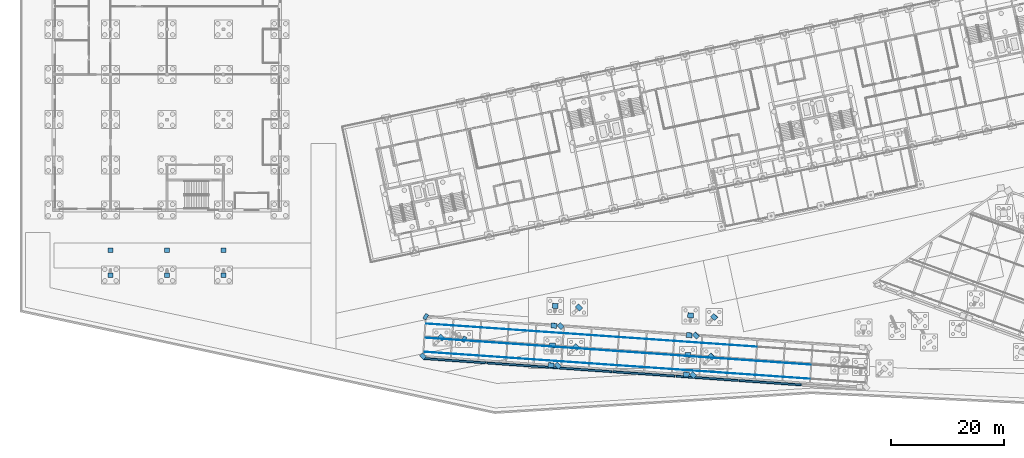
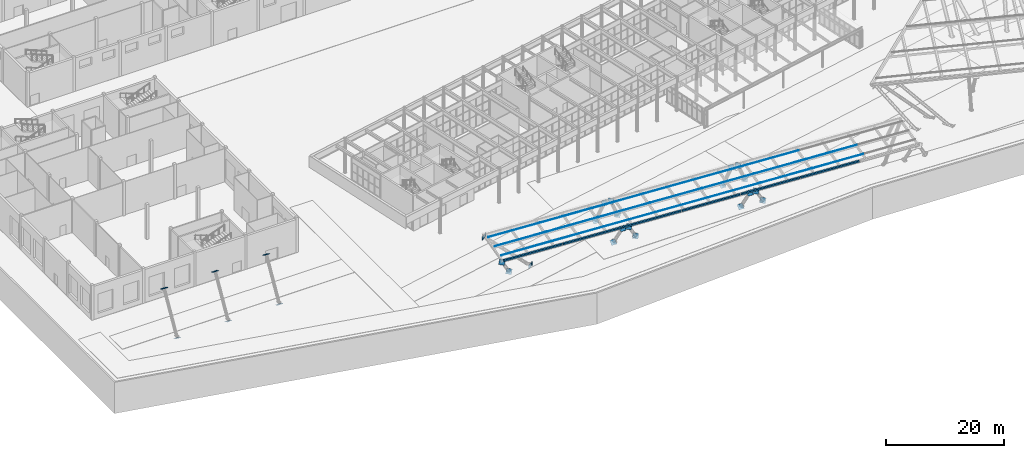
# One storey, part 195 of 239: 52 discrete accessories.
"""IFC4 building model written with IfcOpenShell, lengths in metres."""

from ifc_helpers import new_model, si_unit, direction, frame, origin, origin_2d, place, context, subcontext, project, spatial, polyline, rectangle, outline, extrude, material, layer, layer_set, type_object, element, save


model = new_model("IFC4")

# Units and contexts
model_context = context("Model", 3, precision=1e-05, world=origin(), true_north=direction((0.0, 1.0)))
body_context = subcontext(model_context, "Body", "Model", "MODEL_VIEW")
ifc_project = project(units=[si_unit("LENGTHUNIT", "METRE"), si_unit("AREAUNIT", "SQUARE_METRE"), si_unit("VOLUMEUNIT", "CUBIC_METRE"), si_unit("PLANEANGLEUNIT", "RADIAN"), si_unit("MASSUNIT", "GRAM", prefix="KILO")], contexts=[model_context])

# Site, building, storey
site_placement = place(None, origin())
site = spatial("IfcSite", under=ifc_project, at=site_placement, CompositionType="ELEMENT")
building_placement = place(site_placement, origin())
building = spatial("IfcBuilding", under=site, at=building_placement, Name="Okhra Congress Centre", CompositionType="ELEMENT")
storey_placement = place(building_placement, origin())
storey = spatial("IfcBuildingStorey", under=building, at=storey_placement, Name="L00", CompositionType="ELEMENT", Elevation=0.0)

# Discrete accessories
ifc_material_1 = material(Name="Steel S355J2", Category="steel")
ifc_layer = layer(ifc_material_1, 0.02001953125)
ifc_layer_set = layer_set([ifc_layer], Name="Brace end connection plate 20 mm S355")
discrete_accessory_type_1 = type_object("IfcDiscreteAccessoryType", Name="Brace end connection plate 20 mm S355", PredefinedType="BRACKET", material=ifc_layer_set)
for number, where, z_axis, x_axis, name in (
    (1, (74.551025390625, 13.44091796875, -0.39990234375), (0.47423643072, 0.47423643072, -0.741754417281), (-0.707106781187, 0.707106781187, 0.0), "Brace end connection plate"),
    (2, (71.314208984375, 10.15869140625, 4.63330078125), (-0.47423643072, -0.47423643072, 0.741754417281), (0.707106781187, -0.707106781187, 0.0), "Brace end connection plate"),
):
    element("IfcDiscreteAccessory", number, at=place(storey_placement, frame(where, z_axis=z_axis, x_axis=x_axis)), inside=storey, type_object=discrete_accessory_type_1, Name=name, PredefinedType="BRACKET", context=body_context, shape_type="SweptSolid", body=[
        extrude(rectangle(XDim=1.01611328125, YDim=1.01611328125, at=origin_2d()), origin(), (0.0, 0.0, 1.0), 0.02001953125),
    ])
discrete_accessory_1_placement = place(storey_placement, frame((78.541259765625, 13.161865234375, -0.39990234375), z_axis=(0.689303220297, -0.399070285435, -0.604651947629), x_axis=(0.501036270542, 0.865426285481, 0.0)))
element("IfcDiscreteAccessory", 3, at=discrete_accessory_1_placement, inside=storey, type_object=discrete_accessory_type_1, Name="Brace end connection plate", PredefinedType="BRACKET", context=body_context, shape_type="SweptSolid", body=[
    extrude(rectangle(XDim=1.01611328125, YDim=1.01611328125, at=origin_2d()), origin(), (0.0, 0.0, 1.0), 0.020263671875),
])
discrete_accessory_2_placement = place(storey_placement, frame((71.802490234375, 17.1416015625, 5.492919921875), z_axis=(-0.684506559895, 0.415593268508, 0.598943239908), x_axis=(-0.518978134242, -0.854787515222, 0.0)))
element("IfcDiscreteAccessory", 4, at=discrete_accessory_2_placement, inside=storey, type_object=discrete_accessory_type_1, Name="Brace end connection plate", PredefinedType="BRACKET", context=body_context, shape_type="SweptSolid", body=[
    extrude(rectangle(XDim=1.01611328125, YDim=1.01611328125, at=origin_2d()), origin(), (0.0, 0.0, 1.0), 0.02001953125),
])
discrete_accessory_3_placement = place(storey_placement, frame((94.203125, 12.066650390625, -0.39990234375), z_axis=(0.036268510479, 0.568206664175, -0.822086237529), x_axis=(-0.997969082864, 0.063700154225, 0.0)))
element("IfcDiscreteAccessory", 5, at=discrete_accessory_3_placement, inside=storey, type_object=discrete_accessory_type_1, Name="Brace end connection plate", PredefinedType="BRACKET", context=body_context, shape_type="SweptSolid", body=[
    extrude(rectangle(XDim=1.01611328125, YDim=1.01611328125, at=origin_2d()), origin(), (0.0, 0.0, 1.0), 0.020263671875),
])
discrete_accessory_4_placement = place(storey_placement, frame((93.958984375, 8.5751953125, 4.63330078125), z_axis=(-0.036888344018, -0.565621274945, 0.823839683072), x_axis=(0.997880105966, -0.065079137346, 0.0)))
element("IfcDiscreteAccessory", 6, at=discrete_accessory_4_placement, inside=storey, type_object=discrete_accessory_type_1, Name="Brace end connection plate", PredefinedType="BRACKET", context=body_context, shape_type="SweptSolid", body=[
    extrude(rectangle(XDim=1.01611328125, YDim=1.01611328125, at=origin_2d()), origin(), (0.0, 0.0, 1.0), 0.019775390625),
])
discrete_accessory_5_placement = place(storey_placement, frame((98.392822265625, 11.773681640625, -0.39990234375), z_axis=(0.47149063623, 0.483580139723, -0.737459713078), x_axis=(-0.71600013962, 0.69810013613, 0.0)))
element("IfcDiscreteAccessory", 7, at=discrete_accessory_5_placement, inside=storey, type_object=discrete_accessory_type_1, Name="Brace end connection plate", PredefinedType="BRACKET", context=body_context, shape_type="SweptSolid", body=[
    extrude(rectangle(XDim=1.01611328125, YDim=1.01611328125, at=origin_2d()), origin(), (0.0, 0.0, 1.0), 0.020263671875),
])
discrete_accessory_6_placement = place(storey_placement, frame((95.156005859375, 8.491455078125, 4.63330078125), z_axis=(-0.47423643072, -0.47423643072, 0.741754417281), x_axis=(0.707106781187, -0.707106781187, 0.0)))
element("IfcDiscreteAccessory", 8, at=discrete_accessory_6_placement, inside=storey, type_object=discrete_accessory_type_1, Name="Brace end connection plate", PredefinedType="BRACKET", context=body_context, shape_type="SweptSolid", body=[
    extrude(rectangle(XDim=1.01611328125, YDim=1.01611328125, at=origin_2d()), origin(), (0.0, 0.0, 1.0), 0.02001953125),
])
discrete_accessory_7_placement = place(storey_placement, frame((94.69140625, 19.049560546875, -0.39990234375), z_axis=(0.03634295113, 0.508801315824, -0.860116510084), x_axis=(-0.997458699831, 0.071247049988, 0.0)))
element("IfcDiscreteAccessory", 9, at=discrete_accessory_7_placement, inside=storey, type_object=discrete_accessory_type_1, Name="Brace end connection plate", PredefinedType="BRACKET", context=body_context, shape_type="SweptSolid", body=[
    extrude(rectangle(XDim=1.01611328125, YDim=1.01611328125, at=origin_2d()), origin(), (0.0, 0.0, 1.0), 0.020263671875),
])
discrete_accessory_8_placement = place(storey_placement, frame((94.447265625, 15.55810546875, 5.492919921875), z_axis=(-0.036955454463, -0.505057877661, 0.86229393747), x_axis=(0.997333723592, -0.072975638312, 0.0)))
element("IfcDiscreteAccessory", 10, at=discrete_accessory_8_placement, inside=storey, type_object=discrete_accessory_type_1, Name="Brace end connection plate", PredefinedType="BRACKET", context=body_context, shape_type="SweptSolid", body=[
    extrude(rectangle(XDim=1.01611328125, YDim=1.01611328125, at=origin_2d()), origin(), (0.0, 0.0, 1.0), 0.019775390625),
])
discrete_accessory_9_placement = place(storey_placement, frame((98.881103515625, 18.756591796875, -0.39990234375), z_axis=(0.436019440979, 0.436019440979, -0.78725732399), x_axis=(-0.707106781187, 0.707106781187, 0.0)))
element("IfcDiscreteAccessory", 11, at=discrete_accessory_9_placement, inside=storey, type_object=discrete_accessory_type_1, Name="Brace end connection plate", PredefinedType="BRACKET", context=body_context, shape_type="SweptSolid", body=[
    extrude(rectangle(XDim=1.01611328125, YDim=1.01611328125, at=origin_2d()), origin(), (0.0, 0.0, 1.0), 0.020263671875),
])
discrete_accessory_10_placement = place(storey_placement, frame((95.644287109375, 15.474365234375, 5.492919921875), z_axis=(-0.432593554058, -0.432593554058, 0.791028213135), x_axis=(0.707106781187, -0.707106781187, 0.0)))
element("IfcDiscreteAccessory", 12, at=discrete_accessory_10_placement, inside=storey, type_object=discrete_accessory_type_1, Name="Brace end connection plate", PredefinedType="BRACKET", context=body_context, shape_type="SweptSolid", body=[
    extrude(rectangle(XDim=1.01611328125, YDim=1.01611328125, at=origin_2d()), origin(), (0.0, 0.0, 1.0), 0.019775390625),
])
discrete_accessory_11_placement = place(storey_placement, frame((118.144775390625, 10.392578125, -0.39990234375), z_axis=(0.036268510479, 0.568206664175, -0.822086237529), x_axis=(-0.997969082864, 0.063700154225, 0.0)))
element("IfcDiscreteAccessory", 13, at=discrete_accessory_11_placement, inside=storey, type_object=discrete_accessory_type_1, Name="Brace end connection plate", PredefinedType="BRACKET", context=body_context, shape_type="SweptSolid", body=[
    extrude(rectangle(XDim=1.01611328125, YDim=1.01611328125, at=origin_2d()), origin(), (0.0, 0.0, 1.0), 0.020263671875),
])
for number, where, z_axis, x_axis, name in (
    (14, (117.900634765625, 6.901123046875, 4.63330078125), (-0.048816801729, -0.573597420318, 0.817681428964), (0.996398007206, -0.084799830401, 0.0), "Brace end connection plate"),
    (15, (122.33447265625, 10.099609375, -0.39990234375), (0.47423643072, 0.47423643072, -0.741754417281), (-0.707106781187, 0.707106781187, 0.0), "Brace end connection plate"),
    (16, (119.09765625, 6.8173828125, 4.63330078125), (-0.47423643072, -0.47423643072, 0.741754417281), (0.707106781187, -0.707106781187, 0.0), "Brace end connection plate"),
):
    element("IfcDiscreteAccessory", number, at=place(storey_placement, frame(where, z_axis=z_axis, x_axis=x_axis)), inside=storey, type_object=discrete_accessory_type_1, Name=name, PredefinedType="BRACKET", context=body_context, shape_type="SweptSolid", body=[
        extrude(rectangle(XDim=1.01611328125, YDim=1.01611328125, at=origin_2d()), origin(), (0.0, 0.0, 1.0), 0.02001953125),
    ])
discrete_accessory_12_placement = place(storey_placement, frame((118.633056640625, 17.37548828125, -0.39990234375), z_axis=(0.03634295113, 0.508801315824, -0.860116510084), x_axis=(-0.997458699831, 0.071247049988, 0.0)))
element("IfcDiscreteAccessory", 17, at=discrete_accessory_12_placement, inside=storey, type_object=discrete_accessory_type_1, Name="Brace end connection plate", PredefinedType="BRACKET", context=body_context, shape_type="SweptSolid", body=[
    extrude(rectangle(XDim=1.01611328125, YDim=1.01611328125, at=origin_2d()), origin(), (0.0, 0.0, 1.0), 0.020263671875),
])
for number, where, z_axis, x_axis, name in (
    (18, (118.388916015625, 13.884033203125, 5.492919921875), (-0.036724905952, -0.514148683335, 0.856914472225), (0.997458699831, -0.071247049988, 0.0), "Brace end connection plate"),
    (19, (122.82275390625, 17.08251953125, -0.39990234375), (0.426132713871, 0.438307934267, -0.79138932576), (-0.716994918814, 0.697078393292, 0.0), "Brace end connection plate"),
    (20, (119.5859375, 13.80029296875, 5.492919921875), (-0.44020438924, -0.44020438924, 0.782585580871), (0.707106781187, -0.707106781187, 0.0), "Brace end connection plate"),
):
    element("IfcDiscreteAccessory", number, at=place(storey_placement, frame(where, z_axis=z_axis, x_axis=x_axis)), inside=storey, type_object=discrete_accessory_type_1, Name=name, PredefinedType="BRACKET", context=body_context, shape_type="SweptSolid", body=[
        extrude(rectangle(XDim=1.01611328125, YDim=1.01611328125, at=origin_2d()), origin(), (0.0, 0.0, 1.0), 0.02001953125),
    ])
for number, where, z_axis, x_axis, name in (
    (21, (16.0, 24.5, -0.39990234375), (0.0, -0.500074377092, -0.865982457891), (1.0, 0.0, 0.0), "Brace end connection plate"),
    (22, (16.0, 28.923095703125, 7.199951171875), (0.0, 0.500074377092, 0.865982457891), (-1.0, 0.0, 0.0), "Brace end connection plate"),
    (23, (26.0, 24.5, -0.39990234375), (0.0, -0.500074377092, -0.865982457891), (1.0, 0.0, 0.0), "Brace end connection plate"),
    (24, (26.0, 28.923095703125, 7.199951171875), (0.0, 0.500074377092, 0.865982457891), (-1.0, 0.0, 0.0), "Brace end connection plate"),
    (25, (36.0, 24.5, -0.39990234375), (0.0, -0.500074377092, -0.865982457891), (1.0, 0.0, 0.0), "Brace end connection plate"),
    (26, (36.0, 28.923095703125, 7.199951171875), (0.0, 0.500074377092, 0.865982457891), (-1.0, 0.0, 0.0), "Brace end connection plate"),
):
    element("IfcDiscreteAccessory", number, at=place(storey_placement, frame(where, z_axis=z_axis, x_axis=x_axis)), inside=storey, type_object=discrete_accessory_type_1, Name=name, PredefinedType="BRACKET", context=body_context, shape_type="SweptSolid", body=[
        extrude(rectangle(XDim=0.9140625, YDim=0.9140625, at=origin_2d()), origin(), (0.0, 0.0, 1.0), 0.02001953125),
    ])
ifc_material_2 = material(Name="Stainless steel box gutter with self-regulating heating cable", Category="steel")
discrete_accessory_type_2 = type_object("IfcDiscreteAccessoryType", Name="Canopy heated gutter 350x300", PredefinedType="USERDEFINED", material=ifc_material_2)
for number, where, z_axis, x_axis, name in (
    (27, (76.872314453125, 9.364013671875, 5.0498046875), (0.0, 0.0, 1.0), (0.99756405026, -0.069756473744, 0.0), "Covered promenade heated gutter"),
    (28, (88.045166015625, 8.582763671875, 5.0498046875), (0.0, 0.0, 1.0), (0.99756405026, -0.069756473744, 0.0), "Covered promenade heated gutter"),
    (29, (99.2177734375, 7.801513671875, 5.0498046875), (0.0, 0.0, 1.0), (0.99756405026, -0.069756473744, 0.0), "Covered promenade heated gutter"),
    (30, (110.390625, 7.020263671875, 5.0498046875), (0.0, 0.0, 1.0), (0.99756405026, -0.069756473744, 0.0), "Covered promenade heated gutter"),
    (31, (121.563232421875, 6.239013671875, 5.0498046875), (0.0, 0.0, 1.0), (0.99756405026, -0.069756473744, 0.0), "Covered promenade heated gutter"),
    (32, (132.736083984375, 5.457763671875, 5.0498046875), (0.0, 0.0, 1.0), (0.99756405026, -0.069756473744, 0.0), "Covered promenade heated gutter"),
):
    element("IfcDiscreteAccessory", number, at=place(storey_placement, frame(where, z_axis=z_axis, x_axis=x_axis)), inside=storey, type_object=discrete_accessory_type_2, Name=name, ObjectType="HEATED GUTTER", PredefinedType="USERDEFINED", context=body_context, shape_type="SweptSolid", body=[
        extrude(rectangle(XDim=11.0, YDim=0.35009765625, at=origin_2d()), origin(), (0.0, 0.0, 1.0), 0.300048828125),
    ])
ifc_material_3 = material(Name="Stainless steel snow retention rail", Category="steel")
discrete_accessory_type_3 = type_object("IfcDiscreteAccessoryType", Name="Canopy snow guard rail 40x100", PredefinedType="USERDEFINED", material=ifc_material_3)
discrete_accessory_13_placement = place(storey_placement, frame((71.566162109375, 10.892822265625, 5.5234375), z_axis=(-0.008837420723, -0.126397056635, 0.991940363162), x_axis=(0.997564605743, -0.069748529516, -1.11615e-07)))
element("IfcDiscreteAccessory", 33, at=discrete_accessory_13_placement, inside=storey, type_object=discrete_accessory_type_3, Name="Covered promenade snow guard rail", ObjectType="SNOW GUARD", PredefinedType="USERDEFINED", context=body_context, shape_type="SweptSolid", body=[
    extrude(outline(polyline([(0.0, 0.0), (9.587313742115244, -1.1102230246251565e-16), (9.587443628366318, 0.0404719454866024), (-0.00011365979525220541, 0.040455054276688815), (0.0, 0.0)])), origin(), (0.0, 0.0, -1.0), 0.10009765625),
])
discrete_accessory_14_placement = place(storey_placement, frame((81.329833984375, 10.210205078125, 5.5234375), z_axis=(-0.008890497927, -0.127156192417, 0.991842861434), x_axis=(0.997564605755, -0.069748529344, -1.12275e-07)))
element("IfcDiscreteAccessory", 34, at=discrete_accessory_14_placement, inside=storey, type_object=discrete_accessory_type_3, Name="Covered promenade snow guard rail", ObjectType="SNOW GUARD", PredefinedType="USERDEFINED", context=body_context, shape_type="SweptSolid", body=[
    extrude(outline(polyline([(0.0, 0.0), (9.587313742115244, 0.0), (9.587460656819378, 0.04023037334058518), (-9.663134219255282e-05, 0.040213483790975224), (0.0, 0.0)])), origin(), (0.0, 0.0, -1.0), 0.10009765625),
])
discrete_accessory_15_placement = place(storey_placement, frame((91.093505859375, 9.52734375, 5.5234375), z_axis=(-0.008865490689, -0.126775384188, 0.99189183132), x_axis=(0.99756459144, -0.069748734064, 1.489113e-06)))
element("IfcDiscreteAccessory", 35, at=discrete_accessory_15_placement, inside=storey, type_object=discrete_accessory_type_3, Name="Covered promenade snow guard rail", ObjectType="SNOW GUARD", PredefinedType="USERDEFINED", context=body_context, shape_type="SweptSolid", body=[
    extrude(outline(polyline([(0.0, 0.0), (9.5873137421045, 1.1102230246251565e-16), (9.58746065683012, 0.04023037078038617), (-0.00011365981673939856, 0.04045505173055301), (0.0, 0.0)])), origin(), (0.0, 0.0, -1.0), 0.10009765625),
])
discrete_accessory_16_placement = place(storey_placement, frame((100.857177734375, 8.8447265625, 5.5234375), z_axis=(-0.008890497927, -0.127156192417, 0.991842861434), x_axis=(0.997564605755, -0.069748529344, -1.12275e-07)))
element("IfcDiscreteAccessory", 36, at=discrete_accessory_16_placement, inside=storey, type_object=discrete_accessory_type_3, Name="Covered promenade snow guard rail", ObjectType="SNOW GUARD", PredefinedType="USERDEFINED", context=body_context, shape_type="SweptSolid", body=[
    extrude(outline(polyline([(0.0, 0.0), (9.587313742115244, 0.0), (9.587460656819378, 0.04023037334058518), (-9.663134219255282e-05, 0.040213483790975224), (0.0, 0.0)])), origin(), (0.0, 0.0, -1.0), 0.10009765625),
])
discrete_accessory_17_placement = place(storey_placement, frame((110.620849609375, 8.161865234375, 5.5234375), z_axis=(-0.008865490689, -0.126775384188, 0.99189183132), x_axis=(0.99756459144, -0.069748734064, 1.489113e-06)))
element("IfcDiscreteAccessory", 37, at=discrete_accessory_17_placement, inside=storey, type_object=discrete_accessory_type_3, Name="Covered promenade snow guard rail", ObjectType="SNOW GUARD", PredefinedType="USERDEFINED", context=body_context, shape_type="SweptSolid", body=[
    extrude(outline(polyline([(0.0, 0.0), (9.5873137421045, 1.1102230246251565e-16), (9.58746065683012, 0.04023037078038617), (-0.00011365981673939856, 0.04045505173055301), (0.0, 0.0)])), origin(), (0.0, 0.0, -1.0), 0.10009765625),
])
discrete_accessory_18_placement = place(storey_placement, frame((120.38427734375, 7.479248046875, 5.5234375), z_axis=(-0.008888518872, -0.127129509601, 0.991846299595), x_axis=(0.997564728627, -0.069746771964, 0.0)))
element("IfcDiscreteAccessory", 38, at=discrete_accessory_18_placement, inside=storey, type_object=discrete_accessory_type_3, Name="Covered promenade snow guard rail", ObjectType="SNOW GUARD", PredefinedType="USERDEFINED", context=body_context, shape_type="SweptSolid", body=[
    extrude(outline(polyline([(0.0, 0.0), (9.587557288176507, 1.1102230246251565e-16), (9.587704273751045, 0.04023037309635391), (0.0001469855745386199, 0.04023037309635388), (0.0, 0.0)])), origin(), (0.0, 0.0, -1.0), 0.10009765625),
])
discrete_accessory_19_placement = place(storey_placement, frame((130.14794921875, 6.79638671875, 5.5234375), z_axis=(-0.00886352234, -0.126748854787, 0.991895239318), x_axis=(0.997564714324, -0.06974697651, 1.600707e-06)))
element("IfcDiscreteAccessory", 39, at=discrete_accessory_19_placement, inside=storey, type_object=discrete_accessory_type_3, Name="Covered promenade snow guard rail", ObjectType="SNOW GUARD", PredefinedType="USERDEFINED", context=body_context, shape_type="SweptSolid", body=[
    extrude(outline(polyline([(0.0, 0.0), (9.587557288164023, 1.1102230246251565e-16), (9.58770427376353, 0.04023037012100796), (0.00012995752907069718, 0.04047194231466951), (0.0, 0.0)])), origin(), (0.0, 0.0, -1.0), 0.10009765625),
])
discrete_accessory_20_placement = place(storey_placement, frame((71.740478515625, 13.38671875, 5.83056640625), z_axis=(-0.008424533399, -0.120493280726, 0.992678395321), x_axis=(0.997564728627, -0.069746771964, 0.0)))
element("IfcDiscreteAccessory", 40, at=discrete_accessory_20_placement, inside=storey, type_object=discrete_accessory_type_3, Name="Covered promenade snow guard rail", ObjectType="SNOW GUARD", PredefinedType="USERDEFINED", context=body_context, shape_type="SweptSolid", body=[
    extrude(outline(polyline([(0.0, 0.0), (9.587557288176507, 0.0), (9.587443699654223, 0.040424839436347754), (-0.00011358852228546051, 0.04042483943634766), (0.0, 0.0)])), origin(), (0.0, 0.0, -1.0), 0.10009765625),
])
discrete_accessory_21_placement = place(storey_placement, frame((81.504150390625, 12.7041015625, 5.83056640625), z_axis=(-0.008475217637, -0.121218200409, 0.992589703037), x_axis=(0.997564728627, -0.069746771964, 0.0)))
element("IfcDiscreteAccessory", 41, at=discrete_accessory_21_placement, inside=storey, type_object=discrete_accessory_type_3, Name="Covered promenade snow guard rail", ObjectType="SNOW GUARD", PredefinedType="USERDEFINED", context=body_context, shape_type="SweptSolid", body=[
    extrude(outline(polyline([(0.0, 0.0), (9.587557288176507, 0.0), (9.58746072767472, 0.040183087276052194), (-9.65605017863155e-05, 0.04018308727605219), (0.0, 0.0)])), origin(), (0.0, 0.0, -1.0), 0.10009765625),
])
discrete_accessory_22_placement = place(storey_placement, frame((91.267822265625, 12.021240234375, 5.83056640625), z_axis=(-0.008424533399, -0.120493280726, 0.992678395321), x_axis=(0.997564728627, -0.069746771964, 0.0)))
element("IfcDiscreteAccessory", 42, at=discrete_accessory_22_placement, inside=storey, type_object=discrete_accessory_type_3, Name="Covered promenade snow guard rail", ObjectType="SNOW GUARD", PredefinedType="USERDEFINED", context=body_context, shape_type="SweptSolid", body=[
    extrude(outline(polyline([(0.0, 0.0), (9.587557288176507, 0.0), (9.587443699654223, 0.040424839436347754), (-0.00011358852228546051, 0.04042483943634766), (0.0, 0.0)])), origin(), (0.0, 0.0, -1.0), 0.10009765625),
])
discrete_accessory_23_placement = place(storey_placement, frame((101.031494140625, 11.338623046875, 5.83056640625), z_axis=(-0.008475217637, -0.121218200409, 0.992589703037), x_axis=(0.997564728627, -0.069746771964, 0.0)))
element("IfcDiscreteAccessory", 43, at=discrete_accessory_23_placement, inside=storey, type_object=discrete_accessory_type_3, Name="Covered promenade snow guard rail", ObjectType="SNOW GUARD", PredefinedType="USERDEFINED", context=body_context, shape_type="SweptSolid", body=[
    extrude(outline(polyline([(0.0, 0.0), (9.587557288176507, 0.0), (9.58746072767472, 0.040183087276052194), (-9.65605017863155e-05, 0.04018308727605219), (0.0, 0.0)])), origin(), (0.0, 0.0, -1.0), 0.10009765625),
])
discrete_accessory_24_placement = place(storey_placement, frame((110.795166015625, 10.65576171875, 5.83056640625), z_axis=(-0.008424533399, -0.120493280726, 0.992678395321), x_axis=(0.997564728627, -0.069746771964, 0.0)))
element("IfcDiscreteAccessory", 44, at=discrete_accessory_24_placement, inside=storey, type_object=discrete_accessory_type_3, Name="Covered promenade snow guard rail", ObjectType="SNOW GUARD", PredefinedType="USERDEFINED", context=body_context, shape_type="SweptSolid", body=[
    extrude(outline(polyline([(0.0, 0.0), (9.587557288176507, 0.0), (9.587443699654223, 0.040424839436347754), (-0.00011358852228546051, 0.04042483943634766), (0.0, 0.0)])), origin(), (0.0, 0.0, -1.0), 0.10009765625),
])
discrete_accessory_25_placement = place(storey_placement, frame((120.558837890625, 9.97314453125, 5.83056640625), z_axis=(-0.008475217637, -0.121218200409, 0.992589703037), x_axis=(0.997564728627, -0.069746771964, 0.0)))
element("IfcDiscreteAccessory", 45, at=discrete_accessory_25_placement, inside=storey, type_object=discrete_accessory_type_3, Name="Covered promenade snow guard rail", ObjectType="SNOW GUARD", PredefinedType="USERDEFINED", context=body_context, shape_type="SweptSolid", body=[
    extrude(outline(polyline([(0.0, 0.0), (9.587557288176507, 0.0), (9.58746072767472, 0.040183087276052194), (-9.65605017863155e-05, 0.04018308727605219), (0.0, 0.0)])), origin(), (0.0, 0.0, -1.0), 0.10009765625),
])
discrete_accessory_26_placement = place(storey_placement, frame((130.322509765625, 9.290283203125, 5.83056640625), z_axis=(-0.008422879415, -0.120468086764, 0.992681467125), x_axis=(0.997564605651, -0.069748530819, -1.06459e-07)))
element("IfcDiscreteAccessory", 46, at=discrete_accessory_26_placement, inside=storey, type_object=discrete_accessory_type_3, Name="Covered promenade snow guard rail", ObjectType="SNOW GUARD", PredefinedType="USERDEFINED", context=body_context, shape_type="SweptSolid", body=[
    extrude(outline(polyline([(0.0, 0.0), (9.58731374211525, -1.1102230246251565e-16), (9.587443628366309, 0.04044174305270898), (-0.00011365979524108433, 0.040424839222941496), (0.0, 0.0)])), origin(), (0.0, 0.0, -1.0), 0.10009765625),
])
discrete_accessory_27_placement = place(storey_placement, frame((71.914794921875, 15.880859375, 6.137451171875), z_axis=(-0.008447791877, -0.120803886395, 0.992640446408), x_axis=(0.997562969574, -0.069771926535, -1.526772e-06)))
element("IfcDiscreteAccessory", 47, at=discrete_accessory_27_placement, inside=storey, type_object=discrete_accessory_type_3, Name="Covered promenade snow guard rail", ObjectType="SNOW GUARD", PredefinedType="USERDEFINED", context=body_context, shape_type="SweptSolid", body=[
    extrude(outline(polyline([(0.0, 0.0), (9.587574319278977, 0.0), (9.587703257059164, 0.040441743412275036), (0.00014597194193850566, 0.04019999015579556), (0.0, 0.0)])), origin(), (0.0, 0.0, -1.0), 0.10009765625),
])
discrete_accessory_28_placement = place(storey_placement, frame((81.678466796875, 15.197998046875, 6.137451171875), z_axis=(-0.008473543202, -0.121192704697, 0.992592830618), x_axis=(0.997564727713, -0.06974678504, 1.07087e-07)))
element("IfcDiscreteAccessory", 48, at=discrete_accessory_28_placement, inside=storey, type_object=discrete_accessory_type_3, Name="Covered promenade snow guard rail", ObjectType="SNOW GUARD", PredefinedType="USERDEFINED", context=body_context, shape_type="SweptSolid", body=[
    extrude(outline(polyline([(0.0, 0.0), (9.587557288176452, 0.0), (9.58746072767478, 0.04018308726273936), (0.0001469855744270265, 0.04019998915380649), (0.0, 0.0)])), origin(), (0.0, 0.0, -1.0), 0.10009765625),
])
discrete_accessory_29_placement = place(storey_placement, frame((91.442138671875, 14.515380859375, 6.137451171875), z_axis=(-0.008449670562, -0.120829209505, 0.992637348279), x_axis=(0.99756296867, -0.069771939457, -1.420297e-06)))
element("IfcDiscreteAccessory", 49, at=discrete_accessory_29_placement, inside=storey, type_object=discrete_accessory_type_3, Name="Covered promenade snow guard rail", ObjectType="SNOW GUARD", PredefinedType="USERDEFINED", context=body_context, shape_type="SweptSolid", body=[
    extrude(outline(polyline([(0.0, 0.0), (9.587574319280504, -1.1102230246251565e-16), (9.587459711413942, 0.04042483423162845), (0.00014597194499161274, 0.040199990519865565), (0.0, 0.0)])), origin(), (0.0, 0.0, -1.0), 0.10009765625),
])
discrete_accessory_30_placement = place(storey_placement, frame((101.205810546875, 13.83251953125, 6.137451171875), z_axis=(-0.008473543202, -0.121192704697, 0.992592830618), x_axis=(0.997564727713, -0.06974678504, 1.07087e-07)))
element("IfcDiscreteAccessory", 50, at=discrete_accessory_30_placement, inside=storey, type_object=discrete_accessory_type_3, Name="Covered promenade snow guard rail", ObjectType="SNOW GUARD", PredefinedType="USERDEFINED", context=body_context, shape_type="SweptSolid", body=[
    extrude(outline(polyline([(0.0, 0.0), (9.587557288176452, 0.0), (9.58746072767478, 0.04018308726273936), (0.0001469855744270265, 0.04019998915380649), (0.0, 0.0)])), origin(), (0.0, 0.0, -1.0), 0.10009765625),
])
discrete_accessory_31_placement = place(storey_placement, frame((110.969482421875, 13.14990234375, 6.137451171875), z_axis=(-0.008449670562, -0.120829209505, 0.992637348279), x_axis=(0.99756296867, -0.069771939457, -1.420297e-06)))
element("IfcDiscreteAccessory", 51, at=discrete_accessory_31_placement, inside=storey, type_object=discrete_accessory_type_3, Name="Covered promenade snow guard rail", ObjectType="SNOW GUARD", PredefinedType="USERDEFINED", context=body_context, shape_type="SweptSolid", body=[
    extrude(outline(polyline([(0.0, 0.0), (9.587574319280504, -1.1102230246251565e-16), (9.587459711413942, 0.04042483423162845), (0.00014597194499161274, 0.040199990519865565), (0.0, 0.0)])), origin(), (0.0, 0.0, -1.0), 0.10009765625),
])
discrete_accessory_32_placement = place(storey_placement, frame((120.733154296875, 12.467041015625, 6.137451171875), z_axis=(-0.008473543202, -0.121192704697, 0.992592830618), x_axis=(0.997564727713, -0.06974678504, 1.07087e-07)))
element("IfcDiscreteAccessory", 52, at=discrete_accessory_32_placement, inside=storey, type_object=discrete_accessory_type_3, Name="Covered promenade snow guard rail", ObjectType="SNOW GUARD", PredefinedType="USERDEFINED", context=body_context, shape_type="SweptSolid", body=[
    extrude(outline(polyline([(0.0, 0.0), (9.587557288176452, 0.0), (9.58746072767478, 0.04018308726273936), (0.0001469855744270265, 0.04019998915380649), (0.0, 0.0)])), origin(), (0.0, 0.0, -1.0), 0.10009765625),
])

save(model, "model.ifc")
